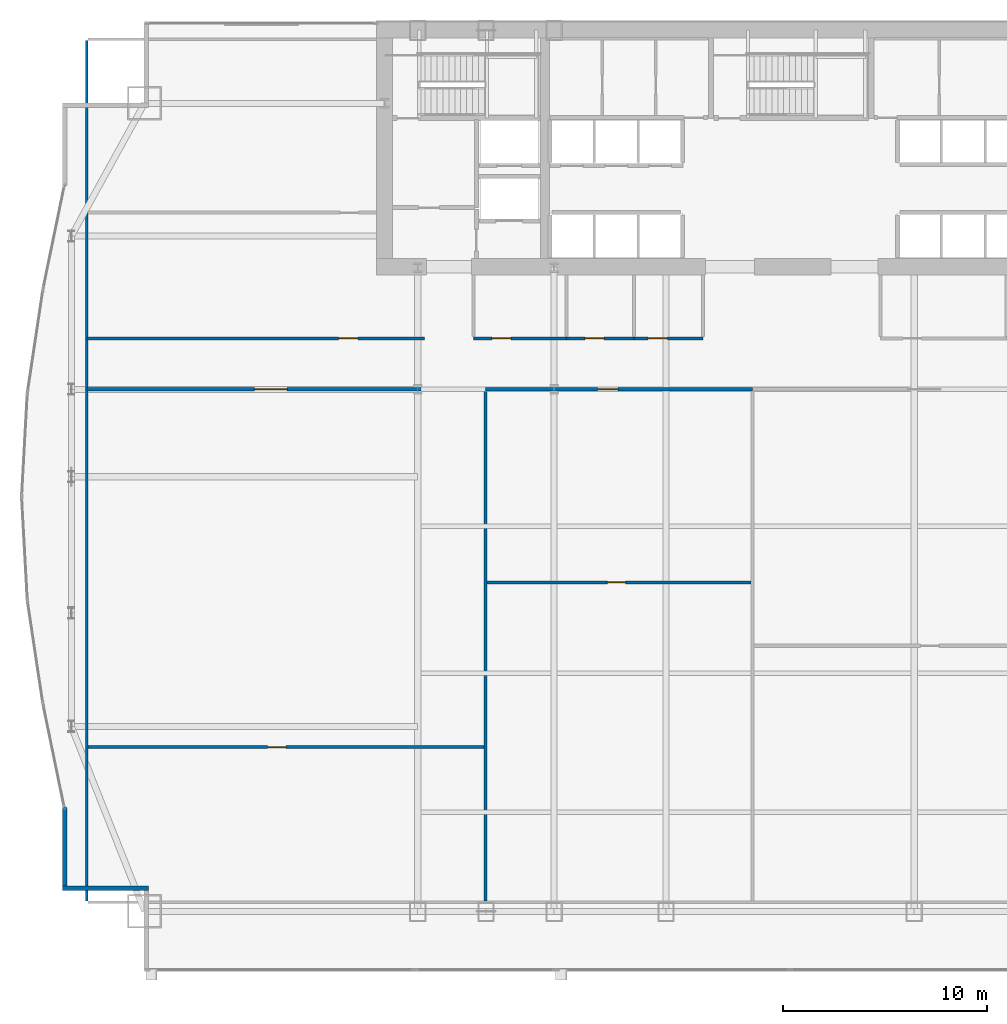
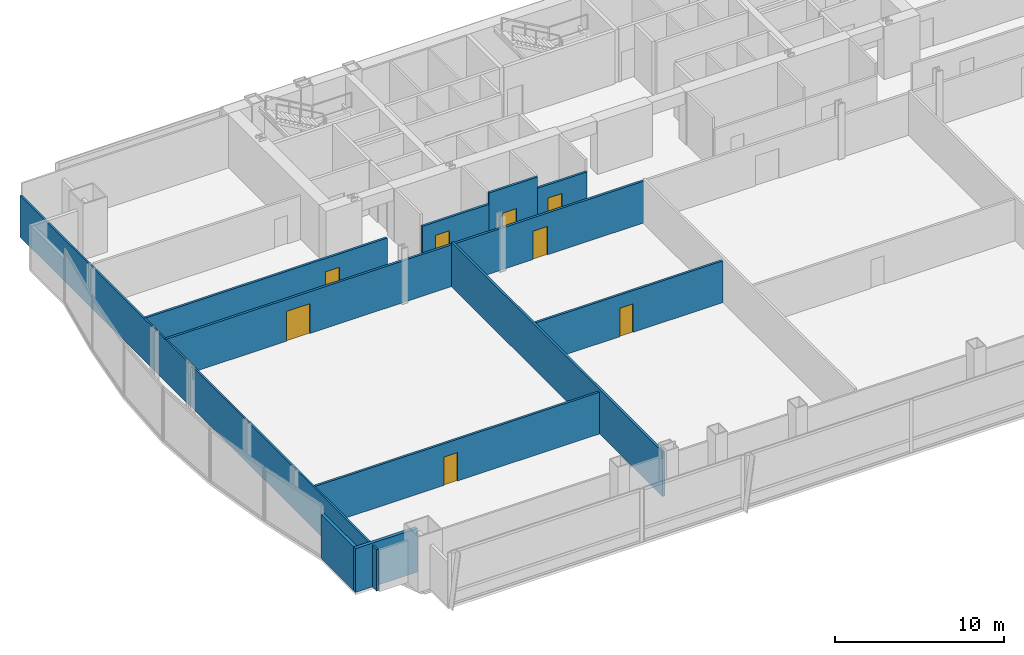
# One storey, part 30 of 36: 12 walls, 8 doors, 8 openings.
"""IFC4 building model written with IfcOpenShell, lengths in metres."""

from ifc_helpers import new_model, si_unit, direction, frame, frame_2d, origin, place, context, subcontext, project, spatial, rectangle, extrude, material, layer, layer_set, type_object, element, fill, save


model = new_model("IFC4")

# Units and contexts
model_context = context("Model", 3, precision=1e-05, world=origin(), true_north=direction((0.0, 1.0)))
body_context = subcontext(model_context, "Body", "Model", "MODEL_VIEW")
ifc_project = project(units=[si_unit("LENGTHUNIT", "METRE"), si_unit("AREAUNIT", "SQUARE_METRE"), si_unit("VOLUMEUNIT", "CUBIC_METRE"), si_unit("PLANEANGLEUNIT", "RADIAN"), si_unit("MASSUNIT", "GRAM", prefix="KILO")], contexts=[model_context])

# Site, building, storey
site_placement = place(None, origin())
site = spatial("IfcSite", under=ifc_project, at=site_placement, CompositionType="ELEMENT")
building_placement = place(site_placement, origin())
building = spatial("IfcBuilding", under=site, at=building_placement, Name="Khoronbel Lancet Exchange", CompositionType="ELEMENT")
storey_placement = place(building_placement, frame((0.0, 0.0, 57.800048828125)))
storey = spatial("IfcBuildingStorey", under=building, at=storey_placement, Name="L13", CompositionType="ELEMENT", Elevation=57.800048828125)

# Walls
ifc_material_1 = material(Name="Precast concrete C40/50", Category="concrete")
ifc_layer_1 = layer(ifc_material_1, 0.25, Name="Precast concrete C40/50")
ifc_layer_set_1 = layer_set([ifc_layer_1], Name="Precast concrete C40/50")
wall_type_1 = type_object("IfcWallType", Name="WL-EXT250", PredefinedType="SOLIDWALL", material=ifc_layer_set_1)
wall_1_placement = place(storey_placement, frame((5.050048828125, 11.2900390625, 0.0), z_axis=(0.0, 0.0, 1.0), x_axis=(-1.0, 0.0, 0.0)))
element("IfcWall", 1, at=wall_1_placement, inside=storey, type_object=wall_type_1, Name="Level L13 notched-corner limestone pier 02", PredefinedType="SOLIDWALL", context=body_context, shape_type="SweptSolid", body=[
    extrude(rectangle(XDim=4.219970703125, YDim=0.219970703125, at=frame_2d((2.10986328125, 0.0))), origin(), (0.0, 0.0, 1.0), 3.159912109375),
])
wall_2_placement = place(storey_placement, frame((0.93994140625, 11.39990234375, 0.0), z_axis=(0.0, 0.0, 1.0), x_axis=(0.0, 1.0, 0.0)))
element("IfcWall", 2, at=wall_2_placement, inside=storey, type_object=wall_type_1, Name="Level L13 notched-corner limestone pier 03", PredefinedType="SOLIDWALL", context=body_context, shape_type="SweptSolid", body=[
    extrude(rectangle(XDim=3.829345703125, YDim=0.219970703125, at=frame_2d((1.91455078125, 0.0))), origin(), (0.0, 0.0, 1.0), 3.159912109375),
])

# Wall, opening, door
ifc_material_2 = material(Name="Acoustic Metal-Stud & Mineral-Wool Gypsum Partition 120 mm", Category="gypsum")
ifc_layer_2 = layer(ifc_material_2, 0.1201171875, Name="Acoustic Metal-Stud & Mineral-Wool Gypsum Partition 120 mm")
ifc_layer_set_2 = layer_set([ifc_layer_2], Name="Acoustic Metal-Stud & Mineral-Wool Gypsum Partition 120 mm")
wall_type_2 = type_object("IfcWallType", Name="WL-PRT120", PredefinedType="PARTITIONING", material=ifc_layer_set_2)
wall_3_placement = place(storey_placement, frame((2.094970703125, 18.189697265625, 0.0), z_axis=(0.0, 0.0, 1.0), x_axis=(1.0, 0.0, 0.0)))
wall_3 = element("IfcWall", 3, at=wall_3_placement, inside=storey, type_object=wall_type_2, Name="Level L13 interior partition PW-Z1S-H1", PredefinedType="PARTITIONING", context=body_context, shape_type="SweptSolid", body=[
    extrude(rectangle(XDim=19.3701171875, YDim=0.14990234375, at=frame_2d((9.68505859375, 0.0))), origin(), (0.0, 0.0, 1.0), 3.010009765625),
])
opening_1_placement = place(wall_3_placement, frame((8.78173828125, 0.0, 0.0)))
opening_1 = element("IfcOpeningElement", 4, at=opening_1_placement, cuts=wall_3, Name="Opening D5", PredefinedType="OPENING", context=body_context, shape_type="SweptSolid", body=[
    extrude(rectangle(XDim=0.89990234375, YDim=2.050048828125, at=frame_2d((0.449951171875, 1.02490234375))), frame((0.0, 0.0849609375, 0.0), z_axis=(0.0, -1.0, 0.0), x_axis=(1.0, 0.0, 0.0)), (0.0, 0.0, 1.0), 0.169921875),
])
ifc_material_3 = material(Name="Acoustic Timber Pantry & Support Door", Category="wood")
door_type_1 = type_object("IfcDoorType", Name="DR-D5", OperationType="NOTDEFINED", PredefinedType="DOOR", material=ifc_material_3)
door_1_placement = place(opening_1_placement, origin())
door_1 = element("IfcDoor", 5, at=door_1_placement, inside=storey, type_object=door_type_1, Name="Z1S inner door 1 L13-1", OperationType="SINGLE_SWING_LEFT", OverallHeight=2.050048828125, OverallWidth=0.89990234375, PredefinedType="DOOR", context=body_context, shape_type="SweptSolid", body=[
    extrude(rectangle(XDim=0.89990234375, YDim=2.050048828125, at=frame_2d((0.449951171875, 1.02490234375))), frame((0.0, 0.02490234375, 0.0), z_axis=(0.0, -1.0, 0.0), x_axis=(1.0, 0.0, 0.0)), (0.0, 0.0, 1.0), 0.050048828125),
])
fill(opening_1, door_1)

wall_4_placement = place(storey_placement, frame((21.625, 26.25732421875, 0.0), z_axis=(0.0, 0.0, 1.0), x_axis=(1.0, 0.0, 0.0)))
wall_4 = element("IfcWall", 6, at=wall_4_placement, inside=storey, type_object=wall_type_2, Name="Level L13 interior partition PW-Z1S-H2", PredefinedType="PARTITIONING", context=body_context, shape_type="SweptSolid", body=[
    extrude(rectangle(XDim=12.908203125, YDim=0.14990234375, at=frame_2d((6.4541015625, 0.0))), origin(), (0.0, 0.0, 1.0), 3.010009765625),
])
opening_2_placement = place(wall_4_placement, frame((5.880615234375, 0.0, 0.0)))
opening_2 = element("IfcOpeningElement", 7, at=opening_2_placement, cuts=wall_4, Name="Opening D5", PredefinedType="OPENING", context=body_context, shape_type="SweptSolid", body=[
    extrude(rectangle(XDim=0.89990234375, YDim=2.050048828125, at=frame_2d((0.449951171875, 1.02490234375))), frame((0.0, 0.0849609375, 0.0), z_axis=(0.0, -1.0, 0.0), x_axis=(1.0, 0.0, 0.0)), (0.0, 0.0, 1.0), 0.169921875),
])
door_2_placement = place(opening_2_placement, origin())
door_2 = element("IfcDoor", 8, at=door_2_placement, inside=storey, type_object=door_type_1, Name="Z1S inner door 2 L13-1", OperationType="SINGLE_SWING_LEFT", OverallHeight=2.050048828125, OverallWidth=0.89990234375, PredefinedType="DOOR", context=body_context, shape_type="SweptSolid", body=[
    extrude(rectangle(XDim=0.89990234375, YDim=2.050048828125, at=frame_2d((0.449951171875, 1.02490234375))), frame((0.0, 0.02490234375, 0.0), z_axis=(0.0, -1.0, 0.0), x_axis=(1.0, 0.0, 0.0)), (0.0, 0.0, 1.0), 0.050048828125),
])
fill(opening_2, door_2)

# Wall
wall_5_placement = place(storey_placement, frame((2.030029296875, 10.6650390625, 0.0), z_axis=(0.0, 0.0, 1.0), x_axis=(0.0, 1.0, 0.0)))
element("IfcWall", 9, at=wall_5_placement, inside=storey, type_object=wall_type_2, Name="Level L13 interior partition PW-LIN-W", PredefinedType="PARTITIONING", context=body_context, shape_type="SweptSolid", body=[
    extrude(rectangle(XDim=42.10986328125, YDim=0.1201171875, at=frame_2d((21.054931640625, 0.0))), origin(), (0.0, 0.0, 1.0), 3.010009765625),
])

# Wall, opening, door
ifc_material_4 = material(Name="Fire-Rated Twin-Stud Acoustic Gypsum Partition 150 mm", Category="gypsum")
ifc_layer_3 = layer(ifc_material_4, 0.14990234375, Name="Fire-Rated Twin-Stud Acoustic Gypsum Partition 150 mm")
ifc_layer_set_3 = layer_set([ifc_layer_3], Name="Fire-Rated Twin-Stud Acoustic Gypsum Partition 150 mm")
wall_type_3 = type_object("IfcWallType", Name="WL-PRT150C", PredefinedType="PARTITIONING", material=ifc_layer_set_3)
wall_6_placement = place(storey_placement, frame((20.949951171875, 38.199951171875, 0.0), z_axis=(0.0, 0.0, 1.0), x_axis=(1.0, 0.0, 0.0)))
wall_6 = element("IfcWall", 10, at=wall_6_placement, inside=storey, type_object=wall_type_3, Name="Level L13 interior partition PW-WC-S1", PredefinedType="PARTITIONING", context=body_context, shape_type="SweptSolid", body=[
    extrude(rectangle(XDim=4.550048828125, YDim=0.14990234375, at=frame_2d((2.27490234375, 0.0))), origin(), (0.0, 0.0, 1.0), 3.010009765625),
])
opening_3_placement = place(wall_6_placement, frame((0.89990234375, 0.0, 0.0)))
opening_3 = element("IfcOpeningElement", 11, at=opening_3_placement, cuts=wall_6, Name="Opening D4", PredefinedType="OPENING", context=body_context, shape_type="SweptSolid", body=[
    extrude(rectangle(XDim=0.949951171875, YDim=2.050048828125, at=frame_2d((0.47509765625, 1.02490234375))), frame((0.0, 0.0849609375, 0.0), z_axis=(0.0, -1.0, 0.0), x_axis=(1.0, 0.0, 0.0)), (0.0, 0.0, 1.0), 0.169921875),
])
ifc_material_5 = material(Name="Moisture-Resistant HPL Washroom Door", Category="wood")
door_type_2 = type_object("IfcDoorType", Name="DR-D4", OperationType="NOTDEFINED", PredefinedType="DOOR", material=ifc_material_5)
door_3_placement = place(opening_3_placement, origin())
door_3 = element("IfcDoor", 12, at=door_3_placement, inside=storey, type_object=door_type_2, Name="Male washroom door L13-1", OperationType="SINGLE_SWING_RIGHT", OverallHeight=2.050048828125, OverallWidth=0.949951171875, PredefinedType="DOOR", context=body_context, shape_type="SweptSolid", body=[
    extrude(rectangle(XDim=0.949951171875, YDim=2.050048828125, at=frame_2d((0.47509765625, 1.02490234375))), frame((0.0, 0.02490234375, 0.0), z_axis=(0.0, -1.0, 0.0), x_axis=(1.0, 0.0, 0.0)), (0.0, 0.0, 1.0), 0.050048828125),
])
fill(opening_3, door_3)

wall_7_placement = place(storey_placement, frame((25.5, 38.199951171875, 0.0), z_axis=(0.0, 0.0, 1.0), x_axis=(1.0, 0.0, 0.0)))
wall_7 = element("IfcWall", 13, at=wall_7_placement, inside=storey, type_object=wall_type_3, Name="Level L13 interior partition PW-WC-S2", PredefinedType="PARTITIONING", context=body_context, shape_type="SweptSolid", body=[
    extrude(rectangle(XDim=3.300048828125, YDim=0.14990234375, at=frame_2d((1.64990234375, 0.0))), origin(), (0.0, 0.0, 1.0), 3.820068359375),
])
opening_4_placement = place(wall_7_placement, frame((0.89990234375, 0.0, 0.0)))
opening_4 = element("IfcOpeningElement", 14, at=opening_4_placement, cuts=wall_7, Name="Opening D4", PredefinedType="OPENING", context=body_context, shape_type="SweptSolid", body=[
    extrude(rectangle(XDim=0.949951171875, YDim=2.050048828125, at=frame_2d((0.47509765625, 1.02490234375))), frame((0.0, 0.0849609375, 0.0), z_axis=(0.0, -1.0, 0.0), x_axis=(1.0, 0.0, 0.0)), (0.0, 0.0, 1.0), 0.169921875),
])
door_4_placement = place(opening_4_placement, origin())
door_4 = element("IfcDoor", 15, at=door_4_placement, inside=storey, type_object=door_type_2, Name="Female washroom door L13-1", OperationType="SINGLE_SWING_LEFT", OverallHeight=2.050048828125, OverallWidth=0.949951171875, PredefinedType="DOOR", context=body_context, shape_type="SweptSolid", body=[
    extrude(rectangle(XDim=0.949951171875, YDim=2.050048828125, at=frame_2d((0.47509765625, 1.02490234375))), frame((0.0, 0.02490234375, 0.0), z_axis=(0.0, -1.0, 0.0), x_axis=(1.0, 0.0, 0.0)), (0.0, 0.0, 1.0), 0.050048828125),
])
fill(opening_4, door_4)

wall_8_placement = place(storey_placement, frame((28.800048828125, 38.199951171875, 0.0), z_axis=(0.0, 0.0, 1.0), x_axis=(1.0, 0.0, 0.0)))
wall_8 = element("IfcWall", 16, at=wall_8_placement, inside=storey, type_object=wall_type_3, Name="Level L13 interior partition PW-WC-S3", PredefinedType="PARTITIONING", context=body_context, shape_type="SweptSolid", body=[
    extrude(rectangle(XDim=3.3798828125, YDim=0.14990234375, at=frame_2d((1.68994140625, 0.0))), origin(), (0.0, 0.0, 1.0), 3.010009765625),
])
opening_5_placement = place(wall_8_placement, frame((0.699951171875, 0.0, 0.0)))
opening_5 = element("IfcOpeningElement", 17, at=opening_5_placement, cuts=wall_8, Name="Opening D4", PredefinedType="OPENING", context=body_context, shape_type="SweptSolid", body=[
    extrude(rectangle(XDim=0.949951171875, YDim=2.050048828125, at=frame_2d((0.47509765625, 1.02490234375))), frame((0.0, 0.0849609375, 0.0), z_axis=(0.0, -1.0, 0.0), x_axis=(1.0, 0.0, 0.0)), (0.0, 0.0, 1.0), 0.169921875),
])
door_5_placement = place(opening_5_placement, origin())
door_5 = element("IfcDoor", 18, at=door_5_placement, inside=storey, type_object=door_type_2, Name="Accessible WC door L13-1", OperationType="SINGLE_SWING_RIGHT", OverallHeight=2.050048828125, OverallWidth=0.949951171875, PredefinedType="DOOR", context=body_context, shape_type="SweptSolid", body=[
    extrude(rectangle(XDim=0.949951171875, YDim=2.050048828125, at=frame_2d((0.47509765625, 1.02490234375))), frame((0.0, 0.02490234375, 0.0), z_axis=(0.0, -1.0, 0.0), x_axis=(1.0, 0.0, 0.0)), (0.0, 0.0, 1.0), 0.050048828125),
])
fill(opening_5, door_5)

wall_9_placement = place(storey_placement, frame((2.030029296875, 38.199951171875, 0.0), z_axis=(0.0, 0.0, 1.0), x_axis=(1.0, 0.0, 0.0)))
wall_9 = element("IfcWall", 19, at=wall_9_placement, inside=storey, type_object=wall_type_3, Name="Level L13 interior partition PW-NW-S", PredefinedType="PARTITIONING", context=body_context, shape_type="SweptSolid", body=[
    extrude(rectangle(XDim=16.52001953125, YDim=0.14990234375, at=frame_2d((8.260009765625, 0.0))), origin(), (0.0, 0.0, 1.0), 3.010009765625),
])
opening_6_placement = place(wall_9_placement, frame((12.320068359375, 0.0, 0.0)))
opening_6 = element("IfcOpeningElement", 20, at=opening_6_placement, cuts=wall_9, Name="Opening D1", PredefinedType="OPENING", context=body_context, shape_type="SweptSolid", body=[
    extrude(rectangle(XDim=0.949951171875, YDim=2.050048828125, at=frame_2d((0.47509765625, 1.02490234375))), frame((0.0, 0.0849609375, 0.0), z_axis=(0.0, -1.0, 0.0), x_axis=(1.0, 0.0, 0.0)), (0.0, 0.0, 1.0), 0.169921875),
])
ifc_material_6 = material(Name="Acoustic Veneered Timber & Bronze Frame Door", Category="wood")
door_type_3 = type_object("IfcDoorType", Name="DR-D1", OperationType="NOTDEFINED", PredefinedType="DOOR", material=ifc_material_6)
door_6_placement = place(opening_6_placement, origin())
door_6 = element("IfcDoor", 21, at=door_6_placement, inside=storey, type_object=door_type_3, Name="NW corner room door L13-1", OperationType="SINGLE_SWING_LEFT", OverallHeight=2.050048828125, OverallWidth=0.949951171875, PredefinedType="DOOR", context=body_context, shape_type="SweptSolid", body=[
    extrude(rectangle(XDim=0.949951171875, YDim=2.050048828125, at=frame_2d((0.47509765625, 1.02490234375))), frame((0.0, 0.02490234375, 0.0), z_axis=(0.0, -1.0, 0.0), x_axis=(1.0, 0.0, 0.0)), (0.0, 0.0, 1.0), 0.050048828125),
])
fill(opening_6, door_6)

# Wall
wall_10_placement = place(storey_placement, frame((21.545166015625, 10.6650390625, 0.0), z_axis=(0.0, 0.0, 1.0), x_axis=(0.0, 1.0, 0.0)))
element("IfcWall", 22, at=wall_10_placement, inside=storey, type_object=wall_type_3, Name="Level L13 interior partition PW-Z1S-V1", PredefinedType="PARTITIONING", context=body_context, shape_type="SweptSolid", body=[
    extrude(rectangle(XDim=24.949951171875, YDim=0.14990234375, at=frame_2d((12.47509765625, 0.0))), origin(), (0.0, 0.0, 1.0), 3.2099609375),
])

# Wall, opening, door
ifc_material_7 = material(Name="Fire-Rated Twin-Stud Acoustic Gypsum Partition 160 mm", Category="gypsum")
ifc_layer_4 = layer(ifc_material_7, 0.159912109375, Name="Fire-Rated Twin-Stud Acoustic Gypsum Partition 160 mm")
ifc_layer_set_4 = layer_set([ifc_layer_4], Name="Fire-Rated Twin-Stud Acoustic Gypsum Partition 160 mm")
wall_type_4 = type_object("IfcWallType", Name="WL-PRT160C", PredefinedType="PARTITIONING", material=ifc_layer_set_4)
wall_11_placement = place(storey_placement, frame((2.030029296875, 35.699951171875, 0.0), z_axis=(0.0, 0.0, 1.0), x_axis=(1.0, 0.0, 0.0)))
wall_11 = element("IfcWall", 23, at=wall_11_placement, inside=storey, type_object=wall_type_4, Name="Level L13 interior partition PW-Z1S-COR1", PredefinedType="PARTITIONING", context=body_context, shape_type="SweptSolid", body=[
    extrude(rectangle(XDim=19.51513671875, YDim=0.159912109375, at=frame_2d((9.757568359375, 0.0))), origin(), (0.0, 0.0, 1.0), 3.010009765625),
])
opening_7_placement = place(wall_11_placement, frame((8.1962890625, 0.0, 0.0)))
opening_7 = element("IfcOpeningElement", 24, at=opening_7_placement, cuts=wall_11, Name="Opening D3", PredefinedType="OPENING", context=body_context, shape_type="SweptSolid", body=[
    extrude(rectangle(XDim=1.60009765625, YDim=2.14990234375, at=frame_2d((0.800048828125, 1.074951171875))), frame((0.0, 0.08984375, 0.0), z_axis=(0.0, -1.0, 0.0), x_axis=(1.0, 0.0, 0.0)), (0.0, 0.0, 1.0), 0.179931640625),
])
ifc_material_8 = material(Name="Glazed Bronze-Framed Double Suite Door", Category="aluminium")
door_type_4 = type_object("IfcDoorType", Name="DR-D3", OperationType="NOTDEFINED", PredefinedType="DOOR", material=ifc_material_8)
door_7_placement = place(opening_7_placement, origin())
door_7 = element("IfcDoor", 25, at=door_7_placement, inside=storey, type_object=door_type_4, Name="Z1S bay 1 door L13-1", OperationType="DOUBLE_DOOR_SINGLE_SWING", OverallHeight=2.14990234375, OverallWidth=1.60009765625, PredefinedType="DOOR", context=body_context, shape_type="SweptSolid", body=[
    extrude(rectangle(XDim=1.60009765625, YDim=2.14990234375, at=frame_2d((0.800048828125, 1.074951171875))), frame((0.0, 0.02490234375, 0.0), z_axis=(0.0, -1.0, 0.0), x_axis=(1.0, 0.0, 0.0)), (0.0, 0.0, 1.0), 0.050048828125),
])
fill(opening_7, door_7)

wall_12_placement = place(storey_placement, frame((21.545166015625, 35.699951171875, 0.0), z_axis=(0.0, 0.0, 1.0), x_axis=(1.0, 0.0, 0.0)))
wall_12 = element("IfcWall", 26, at=wall_12_placement, inside=storey, type_object=wall_type_4, Name="Level L13 interior partition PW-Z1S-COR2", PredefinedType="PARTITIONING", context=body_context, shape_type="SweptSolid", body=[
    extrude(rectangle(XDim=13.068115234375, YDim=0.159912109375, at=frame_2d((6.5341796875, 0.0))), origin(), (0.0, 0.0, 1.0), 3.010009765625),
])
opening_8_placement = place(wall_12_placement, frame((5.488525390625, 0.0, 0.0)))
opening_8 = element("IfcOpeningElement", 27, at=opening_8_placement, cuts=wall_12, Name="Opening D2", PredefinedType="OPENING", context=body_context, shape_type="SweptSolid", body=[
    extrude(rectangle(XDim=1.0, YDim=2.050048828125, at=frame_2d((0.5, 1.02490234375))), frame((0.0, 0.08984375, 0.0), z_axis=(0.0, -1.0, 0.0), x_axis=(1.0, 0.0, 0.0)), (0.0, 0.0, 1.0), 0.179931640625),
])
door_type_5 = type_object("IfcDoorType", Name="DR-D2", OperationType="NOTDEFINED", PredefinedType="DOOR", material=ifc_material_6)
door_8_placement = place(opening_8_placement, origin())
door_8 = element("IfcDoor", 28, at=door_8_placement, inside=storey, type_object=door_type_5, Name="Z1S bay 2 door L13-1", OperationType="SINGLE_SWING_RIGHT", OverallHeight=2.050048828125, OverallWidth=1.0, PredefinedType="DOOR", context=body_context, shape_type="SweptSolid", body=[
    extrude(rectangle(XDim=1.0, YDim=2.050048828125, at=frame_2d((0.5, 1.02490234375))), frame((0.0, 0.02490234375, 0.0), z_axis=(0.0, -1.0, 0.0), x_axis=(1.0, 0.0, 0.0)), (0.0, 0.0, 1.0), 0.050048828125),
])
fill(opening_8, door_8)

save(model, "model.ifc")
